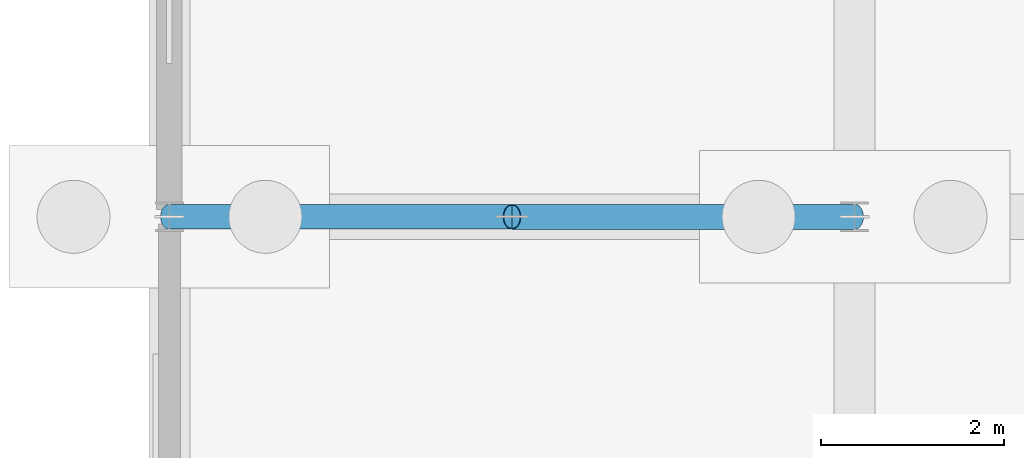
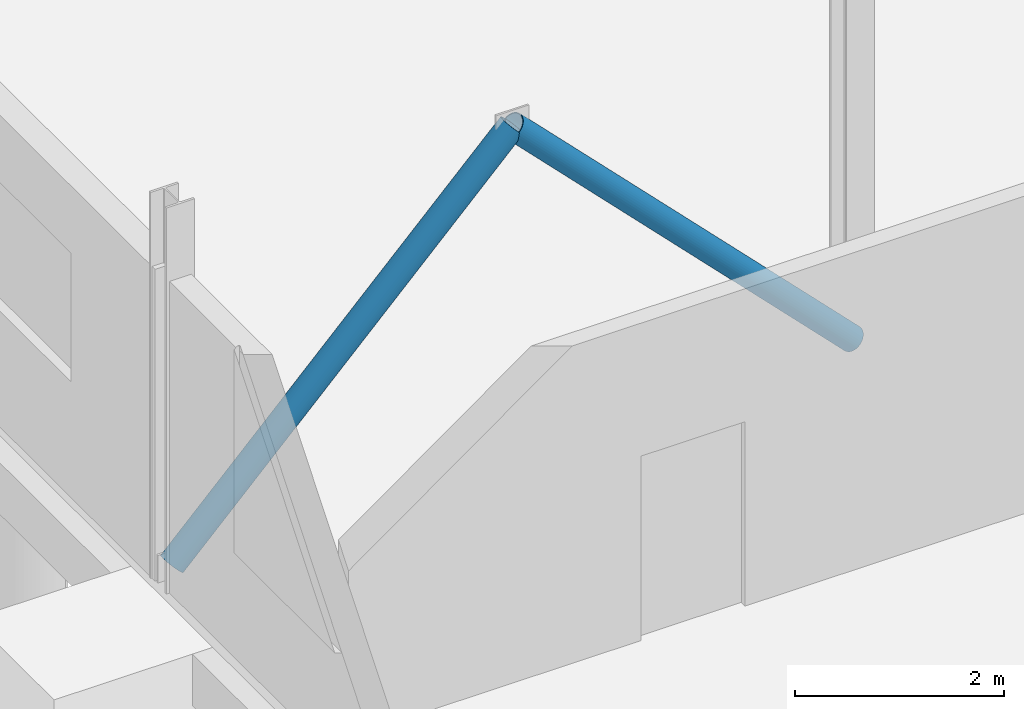
# One storey, part 35 of 136: 2 members.
"""IFC4 building model written with IfcOpenShell, lengths in metres."""

from ifc_helpers import new_model, si_unit, direction, frame, origin, origin_2d, place, context, subcontext, project, spatial, hollow_circle, extrude, material, material_profile, profile_set, type_object, element, save


model = new_model("IFC4")

# Units and contexts
model_context = context("Model", 3, precision=1e-05, world=origin(), true_north=direction((0.0, 1.0)))
body_context = subcontext(model_context, "Body", "Model", "MODEL_VIEW")
ifc_project = project(units=[si_unit("LENGTHUNIT", "METRE"), si_unit("AREAUNIT", "SQUARE_METRE"), si_unit("VOLUMEUNIT", "CUBIC_METRE"), si_unit("PLANEANGLEUNIT", "RADIAN"), si_unit("MASSUNIT", "GRAM", prefix="KILO")], contexts=[model_context])

# Site, building, storey
site_placement = place(None, origin())
site = spatial("IfcSite", under=ifc_project, at=site_placement, CompositionType="ELEMENT")
building_placement = place(site_placement, origin())
building = spatial("IfcBuilding", under=site, at=building_placement, Name="Solvenia Promenade Tram Depot", CompositionType="ELEMENT")
storey_placement = place(building_placement, origin())
storey = spatial("IfcBuildingStorey", under=building, at=storey_placement, Name="L00", CompositionType="ELEMENT", Elevation=0.0)

# Members
ifc_material = material(Name="Structural steel ASTM A500 Gr. C", Category="steel")
ifc_material_profile = material_profile(ifc_material, hollow_circle(Radius=0.136474609375, WallThickness=0.010009765625, at=origin_2d()), Name="CHS273.0x10", Category="steel")
ifc_profile_set = profile_set([ifc_material_profile], Name="Structural steel ASTM A500 Gr. C")
member_type = type_object("IfcMemberType", Name="Brace-CHS273x10", PredefinedType="BRACE", material=ifc_profile_set)
for number, where, z_axis, x_axis, name in (
    (1, (0.0, 38.0, 0.199951171875), (0.702403979413, 0.0, 0.711778511691), (0.0, 1.0, 0.0), "PAC-DES Chevron Brace 10L"),
    (2, (7.5, 38.0, 0.199951171875), (-0.702403979413, 0.0, 0.711778511691), (0.0, -1.0, 0.0), "PAC-DES Chevron Brace 10R"),
):
    element("IfcMember", number, at=place(storey_placement, frame(where, z_axis=z_axis, x_axis=x_axis)), inside=storey, type_object=member_type, Name=name, PredefinedType="BRACE", context=body_context, shape_type="SweptSolid", body=[
        extrude(hollow_circle(Radius=0.136474609375, WallThickness=0.010009765625, at=origin_2d()), origin(), (0.0, 0.0, 1.0), 5.3388671875),
    ])

save(model, "model.ifc")
